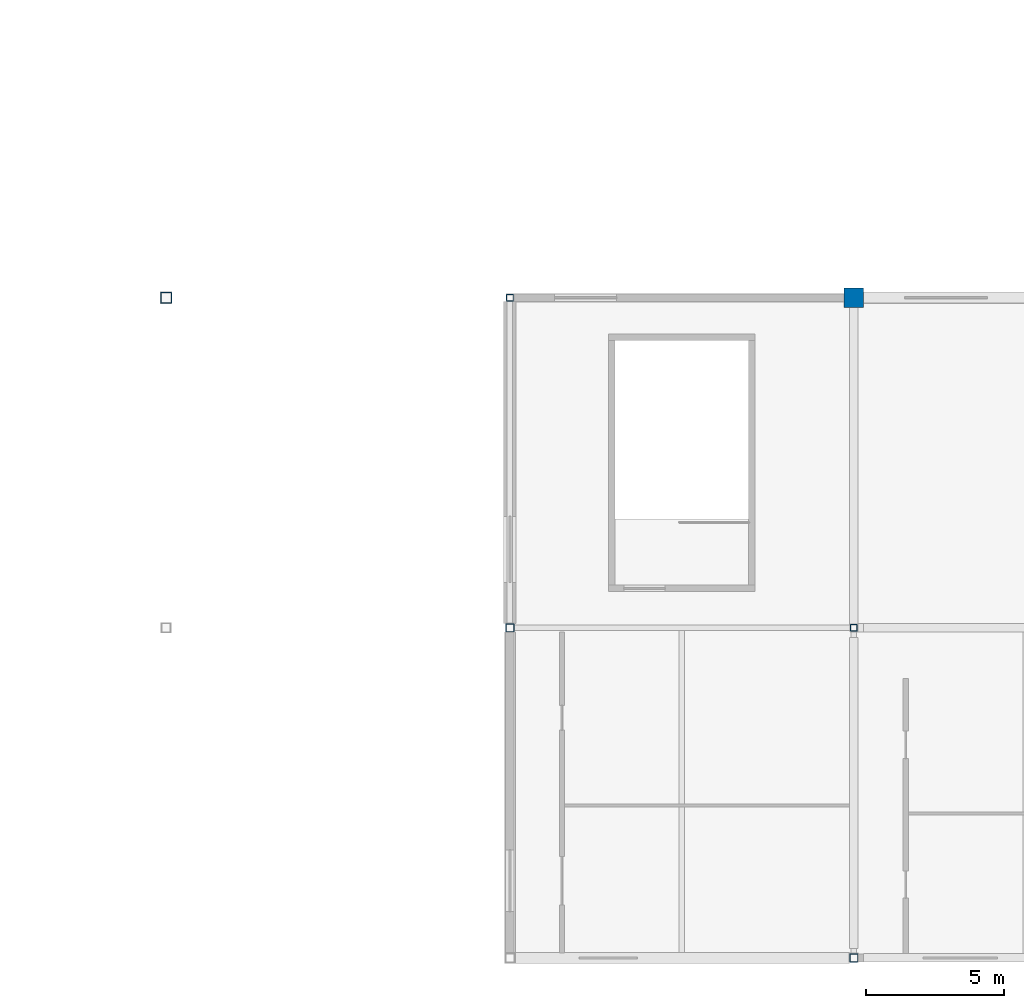
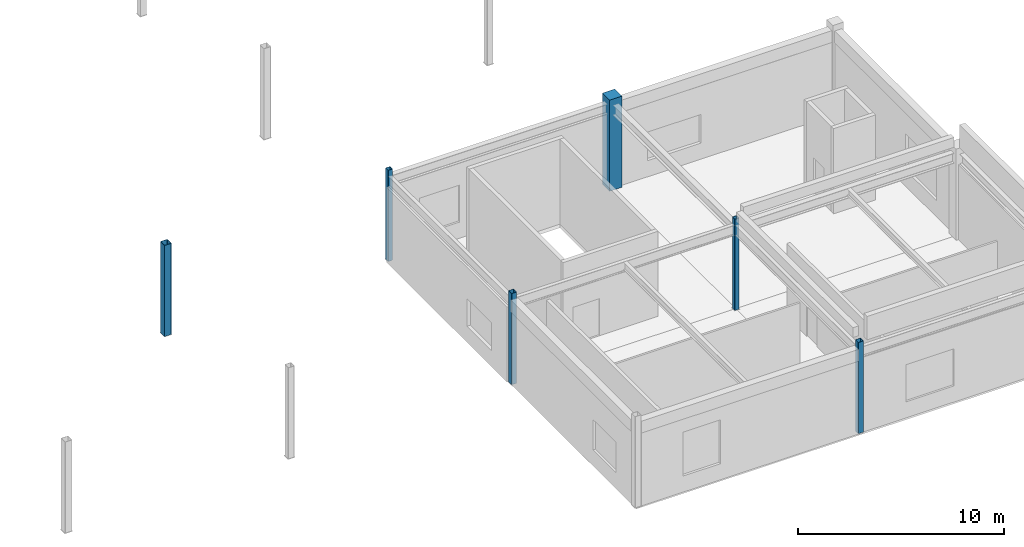
# One storey, part 13 of 76: 6 columns.
"""IFC4 building model written with IfcOpenShell, lengths in metres."""

from ifc_helpers import new_model, si_unit, direction, frame, origin, origin_2d, place, context, subcontext, project, spatial, rectangle, hollow_rectangle, extrude, material, material_profile, profile_set, type_object, element, save


model = new_model("IFC4")

# Units and contexts
model_context = context("Model", 3, precision=1e-05, world=origin(), true_north=direction((0.0, 1.0)))
body_context = subcontext(model_context, "Body", "Model", "MODEL_VIEW")
ifc_project = project(units=[si_unit("LENGTHUNIT", "METRE"), si_unit("AREAUNIT", "SQUARE_METRE"), si_unit("VOLUMEUNIT", "CUBIC_METRE"), si_unit("PLANEANGLEUNIT", "RADIAN"), si_unit("MASSUNIT", "GRAM", prefix="KILO")], contexts=[model_context])

# Site, building, storey
site_placement = place(None, origin())
site = spatial("IfcSite", under=ifc_project, at=site_placement, CompositionType="ELEMENT")
building_placement = place(site_placement, origin())
building = spatial("IfcBuilding", under=site, at=building_placement, Name="Kazenohara Klinker Stadium", CompositionType="ELEMENT")
storey_placement = place(building_placement, frame((0.0, 0.0, 25.800048828125)))
storey = spatial("IfcBuildingStorey", under=building, at=storey_placement, Name="L05", CompositionType="ELEMENT", Elevation=25.800048828125)

# Columns
ifc_material_1 = material(Name="Concrete C40/50", Category="concrete")
ifc_material_profile_1 = material_profile(ifc_material_1, rectangle(XDim=0.699951171875, YDim=0.699951171875, at=origin_2d()), Name="RC-COL-700x700")
ifc_profile_set_1 = profile_set([ifc_material_profile_1], Name="Concrete C40/50")
column_type_1 = type_object("IfcColumnType", Name="COL-RC06", PredefinedType="COLUMN", material=ifc_profile_set_1)
column_1_placement = place(storey_placement, frame((187.5, 36.0, 0.0), z_axis=(0.0, 0.0, 1.0), x_axis=(1.0, 0.0, 0.0)))
element("IfcColumn", 1, at=column_1_placement, inside=storey, type_object=column_type_1, Name="Column C06 L05 16/D", PredefinedType="COLUMN", context=body_context, shape_type="SweptSolid", body=[
    extrude(rectangle(XDim=0.699951171875, YDim=0.699951171875, at=origin_2d()), origin(), (0.0, 0.0, 1.0), 5.39990234375),
])
ifc_material_2 = material(Name="Steel S355", Category="steel")
ifc_material_profile_2 = material_profile(ifc_material_2, hollow_rectangle(XDim=0.39990234375, YDim=0.39990234375, WallThickness=0.01611328125, InnerFilletRadius=0.01611328125, OuterFilletRadius=0.031982421875, at=origin_2d()), Name="SHS-400x400x16")
ifc_profile_set_2 = profile_set([ifc_material_profile_2], Name="Steel S355")
column_type_2 = type_object("IfcColumnType", Name="COL-ST01", PredefinedType="COLUMN", material=ifc_profile_set_2)
column_2_placement = place(storey_placement, frame((162.5, 36.0, 0.0), z_axis=(0.0, 0.0, 1.0), x_axis=(1.0, 0.0, 0.0)))
element("IfcColumn", 2, at=column_2_placement, inside=storey, type_object=column_type_2, Name="Canopy ring support column SC01 L05 14/D", PredefinedType="COLUMN", context=body_context, shape_type="SweptSolid", body=[
    extrude(hollow_rectangle(XDim=0.39990234375, YDim=0.39990234375, WallThickness=0.01611328125, InnerFilletRadius=0.01611328125, OuterFilletRadius=0.031982421875, at=origin_2d()), origin(), (0.0, 0.0, 1.0), 5.39990234375),
])
ifc_material_profile_3 = material_profile(ifc_material_2, hollow_rectangle(XDim=0.300048828125, YDim=0.300048828125, WallThickness=0.011962890625, InnerFilletRadius=0.011962890625, OuterFilletRadius=0.02392578125, at=origin_2d()), Name="SHS-300x300x12")
ifc_profile_set_3 = profile_set([ifc_material_profile_3], Name="Steel S355")
column_type_3 = type_object("IfcColumnType", Name="COL-ST03", PredefinedType="COLUMN", material=ifc_profile_set_3)
for number, where, z_axis, x_axis, name in (
    (3, (175.0, 24.0, 0.0), (0.0, 0.0, 1.0), (1.0, 0.0, 0.0), "Column SC03 L05 15/C"),
    (4, (187.5, 12.0, 0.0), (0.0, 0.0, 1.0), (1.0, 0.0, 0.0), "Column SC03 L05 16/B"),
):
    element("IfcColumn", number, at=place(storey_placement, frame(where, z_axis=z_axis, x_axis=x_axis)), inside=storey, type_object=column_type_3, Name=name, PredefinedType="COLUMN", context=body_context, shape_type="SweptSolid", body=[
        extrude(hollow_rectangle(XDim=0.300048828125, YDim=0.300048828125, WallThickness=0.011962890625, InnerFilletRadius=0.011962890625, OuterFilletRadius=0.02392578125, at=origin_2d()), origin(), (0.0, 0.0, 1.0), 5.39990234375),
    ])
ifc_material_profile_4 = material_profile(ifc_material_2, hollow_rectangle(XDim=0.25, YDim=0.25, WallThickness=0.011962890625, InnerFilletRadius=0.011962890625, OuterFilletRadius=0.02392578125, at=origin_2d()), Name="SHS-250x250x12")
ifc_profile_set_4 = profile_set([ifc_material_profile_4], Name="Steel S355")
column_type_4 = type_object("IfcColumnType", Name="COL-ST04", PredefinedType="COLUMN", material=ifc_profile_set_4)
for number, where, z_axis, x_axis, name in (
    (5, (175.0, 36.0, 0.0), (0.0, 0.0, 1.0), (1.0, 0.0, 0.0), "Column SC04 L05 15/D"),
    (6, (187.5, 24.0, 0.0), (0.0, 0.0, 1.0), (1.0, 0.0, 0.0), "Column SC04 L05 16/C"),
):
    element("IfcColumn", number, at=place(storey_placement, frame(where, z_axis=z_axis, x_axis=x_axis)), inside=storey, type_object=column_type_4, Name=name, PredefinedType="COLUMN", context=body_context, shape_type="SweptSolid", body=[
        extrude(hollow_rectangle(XDim=0.25, YDim=0.25, WallThickness=0.011962890625, InnerFilletRadius=0.011962890625, OuterFilletRadius=0.02392578125, at=origin_2d()), origin(), (0.0, 0.0, 1.0), 5.39990234375),
    ])

save(model, "model.ifc")
